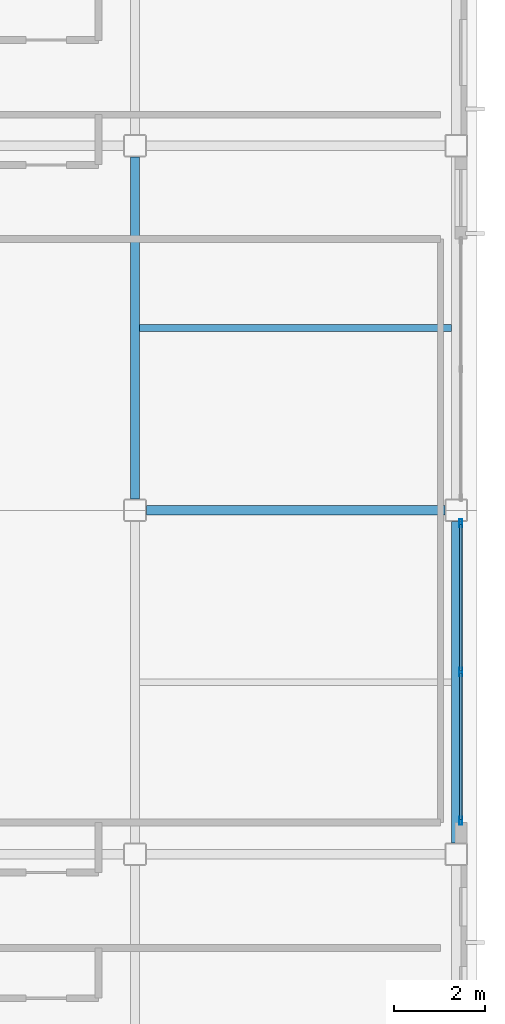
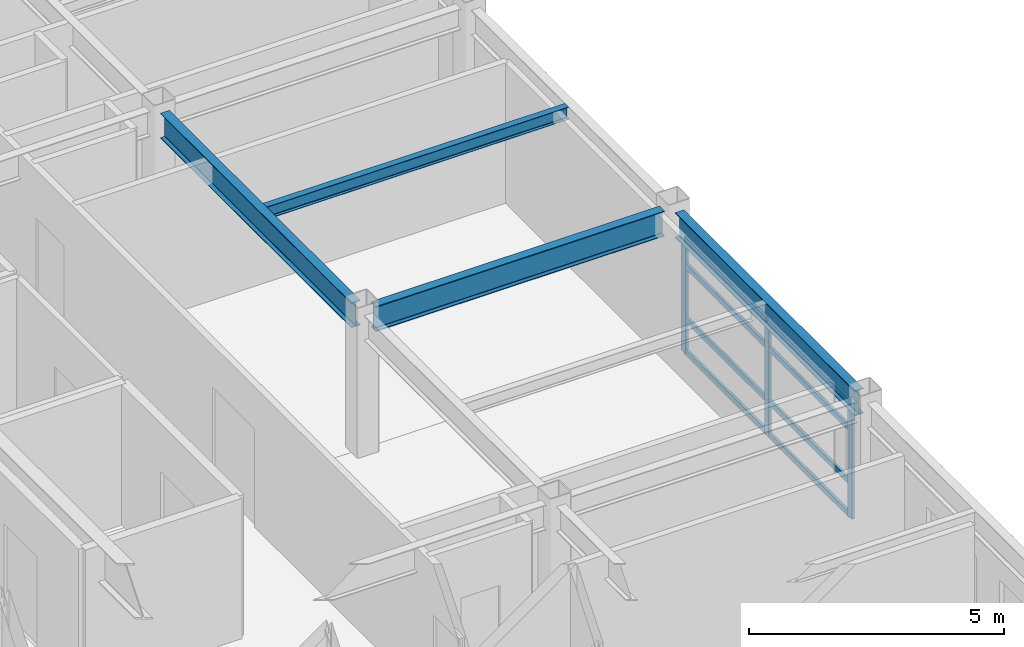
# One storey, part 14 of 35: 11 members, 4 beams, 1 element without a shape of its own.
"""IFC4 building model written with IfcOpenShell, lengths in metres."""

from ifc_helpers import new_model, si_unit, direction, frame, origin, origin_2d, place, context, subcontext, project, spatial, hollow_rectangle, i_section, extrude, material, layer, layer_set, material_profile, profile_set, type_object, element, aggregate, save


model = new_model("IFC4")

# Units and contexts
model_context = context("Model", 3, precision=1e-05, world=origin(), true_north=direction((0.0, 1.0)))
body_context = subcontext(model_context, "Body", "Model", "MODEL_VIEW")
ifc_project = project(units=[si_unit("LENGTHUNIT", "METRE"), si_unit("AREAUNIT", "SQUARE_METRE"), si_unit("VOLUMEUNIT", "CUBIC_METRE"), si_unit("PLANEANGLEUNIT", "RADIAN"), si_unit("MASSUNIT", "GRAM", prefix="KILO")], contexts=[model_context])

# Site, building, storey
site_placement = place(None, origin())
site = spatial("IfcSite", under=ifc_project, at=site_placement, CompositionType="ELEMENT")
building_placement = place(site_placement, origin())
building = spatial("IfcBuilding", under=site, at=building_placement, Name="Kazehara Bluff Congress Hotel", CompositionType="ELEMENT")
storey_placement = place(building_placement, frame((0.0, 0.0, 35.39990234375)))
storey = spatial("IfcBuildingStorey", under=building, at=storey_placement, Name="L08", CompositionType="ELEMENT", Elevation=35.39990234375)

# Curtain wall, members
ifc_material_1 = material(Name="Anodised aluminium", Category="aluminium")
ifc_layer = layer(ifc_material_1, 0.159912109375)
ifc_layer_set = layer_set([ifc_layer], Name="Anodised aluminium")
curtain_wall_type = type_object("IfcCurtainWallType", Name="TP-CW-188", PredefinedType="NOTDEFINED", material=ifc_layer_set)
curtain_wall_placement = place(storey_placement, origin())
curtain_wall = element("IfcCurtainWall", 1, at=curtain_wall_placement, inside=storey, type_object=curtain_wall_type, Name="L08 curtain wall CW-188 CW-ENC-V5-L08-16765-4490", PredefinedType="NOTDEFINED")
ifc_material_2 = material(Name="Anodised aluminium", Category="aluminium")
ifc_material_profile_1 = material_profile(ifc_material_2, hollow_rectangle(XDim=0.06494140625, YDim=0.179931640625, WallThickness=0.00390625, InnerFilletRadius=0.00390625, OuterFilletRadius=0.008056640625, at=origin_2d()))
ifc_profile_set_1 = profile_set([ifc_material_profile_1], Name="Anodised aluminium")
member_type_1 = type_object("IfcMemberType", Name="TP-CWM-02", PredefinedType="MULLION", material=ifc_profile_set_1)
member_1_placement = place(storey_placement, frame((167.64990234375, 48.16748046875, 0.0), z_axis=(0.0, 0.0, 1.0), x_axis=(1.0, 0.0, 0.0)))
member_1 = element("IfcMember", 2, at=member_1_placement, type_object=member_type_1, Name="CW-188 mullion 1", PredefinedType="MULLION", context=body_context, shape_type="SweptSolid", body=[
    extrude(hollow_rectangle(XDim=0.06494140625, YDim=0.179931640625, WallThickness=0.00390625, InnerFilletRadius=0.00390625, OuterFilletRadius=0.008056640625, at=origin_2d()), origin(), (0.0, 0.0, 1.0), 2.755126953125),
])
member_2_placement = place(storey_placement, frame((167.64990234375, 44.89990234375, 0.0), z_axis=(0.0, 0.0, 1.0), x_axis=(1.0, 0.0, 0.0)))
member_2 = element("IfcMember", 3, at=member_2_placement, type_object=member_type_1, Name="CW-188 mullion 2", PredefinedType="MULLION", context=body_context, shape_type="SweptSolid", body=[
    extrude(hollow_rectangle(XDim=0.06494140625, YDim=0.179931640625, WallThickness=0.00390625, InnerFilletRadius=0.00390625, OuterFilletRadius=0.008056640625, at=origin_2d()), origin(), (0.0, 0.0, 1.0), 2.755126953125),
])
member_3_placement = place(storey_placement, frame((167.64990234375, 41.632568359375, 0.0), z_axis=(0.0, 0.0, 1.0), x_axis=(1.0, 0.0, 0.0)))
member_3 = element("IfcMember", 4, at=member_3_placement, type_object=member_type_1, Name="CW-188 mullion 3", PredefinedType="MULLION", context=body_context, shape_type="SweptSolid", body=[
    extrude(hollow_rectangle(XDim=0.06494140625, YDim=0.179931640625, WallThickness=0.00390625, InnerFilletRadius=0.00390625, OuterFilletRadius=0.008056640625, at=origin_2d()), origin(), (0.0, 0.0, 1.0), 2.755126953125),
])
ifc_material_3 = material(Name="Anodised aluminium", Category="aluminium")
ifc_material_profile_2 = material_profile(ifc_material_3, hollow_rectangle(XDim=0.06494140625, YDim=0.139892578125, WallThickness=0.00390625, InnerFilletRadius=0.00390625, OuterFilletRadius=0.008056640625, at=origin_2d()))
ifc_profile_set_2 = profile_set([ifc_material_profile_2], Name="Anodised aluminium")
member_type_2 = type_object("IfcMemberType", Name="TP-CWT-02", PredefinedType="USERDEFINED", material=ifc_profile_set_2)
member_4_placement = place(storey_placement, frame((167.64990234375, 48.135009765625, 0.03271484375), z_axis=(0.0, -1.0, 0.0), x_axis=(1.0, 0.0, 0.0)))
member_4 = element("IfcMember", 5, at=member_4_placement, type_object=member_type_2, Name="CW-188 transom 1.1", ObjectType="TRANSOM", PredefinedType="USERDEFINED", context=body_context, shape_type="SweptSolid", body=[
    extrude(hollow_rectangle(XDim=0.06494140625, YDim=0.139892578125, WallThickness=0.00390625, InnerFilletRadius=0.00390625, OuterFilletRadius=0.008056640625, at=origin_2d()), origin(), (0.0, 0.0, 1.0), 3.202392578125),
])
member_5_placement = place(storey_placement, frame((167.64990234375, 48.135009765625, 0.8251953125), z_axis=(0.0, -1.0, 0.0), x_axis=(1.0, 0.0, 0.0)))
member_5 = element("IfcMember", 6, at=member_5_placement, type_object=member_type_2, Name="CW-188 transom 1.2", ObjectType="TRANSOM", PredefinedType="USERDEFINED", context=body_context, shape_type="SweptSolid", body=[
    extrude(hollow_rectangle(XDim=0.06494140625, YDim=0.139892578125, WallThickness=0.00390625, InnerFilletRadius=0.00390625, OuterFilletRadius=0.008056640625, at=origin_2d()), origin(), (0.0, 0.0, 1.0), 3.202392578125),
])
member_6_placement = place(storey_placement, frame((167.64990234375, 48.135009765625, 2.10498046875), z_axis=(0.0, -1.0, 0.0), x_axis=(1.0, 0.0, 0.0)))
member_6 = element("IfcMember", 7, at=member_6_placement, type_object=member_type_2, Name="CW-188 transom 1.3", ObjectType="TRANSOM", PredefinedType="USERDEFINED", context=body_context, shape_type="SweptSolid", body=[
    extrude(hollow_rectangle(XDim=0.06494140625, YDim=0.139892578125, WallThickness=0.00390625, InnerFilletRadius=0.00390625, OuterFilletRadius=0.008056640625, at=origin_2d()), origin(), (0.0, 0.0, 1.0), 3.202392578125),
])
member_7_placement = place(storey_placement, frame((167.64990234375, 48.135009765625, 2.72265625), z_axis=(0.0, -1.0, 0.0), x_axis=(1.0, 0.0, 0.0)))
member_7 = element("IfcMember", 8, at=member_7_placement, type_object=member_type_2, Name="CW-188 transom 1.4", ObjectType="TRANSOM", PredefinedType="USERDEFINED", context=body_context, shape_type="SweptSolid", body=[
    extrude(hollow_rectangle(XDim=0.06494140625, YDim=0.139892578125, WallThickness=0.00390625, InnerFilletRadius=0.00390625, OuterFilletRadius=0.008056640625, at=origin_2d()), origin(), (0.0, 0.0, 1.0), 3.202392578125),
])
member_8_placement = place(storey_placement, frame((167.64990234375, 44.867431640625, 0.03271484375), z_axis=(0.0, -1.0, 0.0), x_axis=(1.0, 0.0, 0.0)))
member_8 = element("IfcMember", 9, at=member_8_placement, type_object=member_type_2, Name="CW-188 transom 2.1", ObjectType="TRANSOM", PredefinedType="USERDEFINED", context=body_context, shape_type="SweptSolid", body=[
    extrude(hollow_rectangle(XDim=0.06494140625, YDim=0.139892578125, WallThickness=0.00390625, InnerFilletRadius=0.00390625, OuterFilletRadius=0.008056640625, at=origin_2d()), origin(), (0.0, 0.0, 1.0), 3.202392578125),
])
member_9_placement = place(storey_placement, frame((167.64990234375, 44.867431640625, 0.8251953125), z_axis=(0.0, -1.0, 0.0), x_axis=(1.0, 0.0, 0.0)))
member_9 = element("IfcMember", 10, at=member_9_placement, type_object=member_type_2, Name="CW-188 transom 2.2", ObjectType="TRANSOM", PredefinedType="USERDEFINED", context=body_context, shape_type="SweptSolid", body=[
    extrude(hollow_rectangle(XDim=0.06494140625, YDim=0.139892578125, WallThickness=0.00390625, InnerFilletRadius=0.00390625, OuterFilletRadius=0.008056640625, at=origin_2d()), origin(), (0.0, 0.0, 1.0), 3.202392578125),
])
member_10_placement = place(storey_placement, frame((167.64990234375, 44.867431640625, 2.10498046875), z_axis=(0.0, -1.0, 0.0), x_axis=(1.0, 0.0, 0.0)))
member_10 = element("IfcMember", 11, at=member_10_placement, type_object=member_type_2, Name="CW-188 transom 2.3", ObjectType="TRANSOM", PredefinedType="USERDEFINED", context=body_context, shape_type="SweptSolid", body=[
    extrude(hollow_rectangle(XDim=0.06494140625, YDim=0.139892578125, WallThickness=0.00390625, InnerFilletRadius=0.00390625, OuterFilletRadius=0.008056640625, at=origin_2d()), origin(), (0.0, 0.0, 1.0), 3.202392578125),
])
member_11_placement = place(storey_placement, frame((167.64990234375, 44.867431640625, 2.72265625), z_axis=(0.0, -1.0, 0.0), x_axis=(1.0, 0.0, 0.0)))
member_11 = element("IfcMember", 12, at=member_11_placement, type_object=member_type_2, Name="CW-188 transom 2.4", ObjectType="TRANSOM", PredefinedType="USERDEFINED", context=body_context, shape_type="SweptSolid", body=[
    extrude(hollow_rectangle(XDim=0.06494140625, YDim=0.139892578125, WallThickness=0.00390625, InnerFilletRadius=0.00390625, OuterFilletRadius=0.008056640625, at=origin_2d()), origin(), (0.0, 0.0, 1.0), 3.202392578125),
])
aggregate(curtain_wall, [member_1, member_2, member_3, member_4, member_5, member_6, member_7, member_8, member_9, member_10, member_11])

# Beams
ifc_material_4 = material(Name="Steel SN490B", Category="steel")
ifc_material_profile_3 = material_profile(ifc_material_4, i_section(OverallWidth=0.199951171875, OverallDepth=0.60009765625, WebThickness=0.010986328125, FlangeThickness=0.01708984375, FilletRadius=0.012939453125, at=origin_2d()))
ifc_profile_set_3 = profile_set([ifc_material_profile_3], Name="Steel SN490B")
beam_type_1 = type_object("IfcBeamType", Name="TP-G-02", PredefinedType="BEAM", material=ifc_profile_set_3)
beam_1_placement = place(storey_placement, frame((160.5, 48.699951171875, 3.080078125), z_axis=(0.0, 1.0, 0.0), x_axis=(-1.0, 0.0, 0.0)))
element("IfcBeam", 13, at=beam_1_placement, inside=storey, type_object=beam_type_1, Name="L08 girder G-02 24", PredefinedType="BEAM", context=body_context, shape_type="SweptSolid", body=[
    extrude(i_section(OverallWidth=0.199951171875, OverallDepth=0.60009765625, WebThickness=0.010986328125, FlangeThickness=0.01708984375, FilletRadius=0.012939453125, at=origin_2d()), origin(), (0.0, 0.0, 1.0), 7.5),
])
beam_2_placement = place(storey_placement, frame((167.550048828125, 41.14990234375, 3.080078125), z_axis=(0.0, 1.0, 0.0), x_axis=(-1.0, 0.0, 0.0)))
element("IfcBeam", 14, at=beam_2_placement, inside=storey, type_object=beam_type_1, Name="L08 girder G-02 31", PredefinedType="BEAM", context=body_context, shape_type="SweptSolid", body=[
    extrude(i_section(OverallWidth=0.199951171875, OverallDepth=0.60009765625, WebThickness=0.010986328125, FlangeThickness=0.01708984375, FilletRadius=0.012939453125, at=origin_2d()), origin(), (0.0, 0.0, 1.0), 7.050048828125),
])
ifc_material_5 = material(Name="Steel SN400B", Category="steel")
ifc_material_profile_4 = material_profile(ifc_material_5, i_section(OverallWidth=0.14990234375, OverallDepth=0.300048828125, WebThickness=0.006591796875, FlangeThickness=0.009033203125, FilletRadius=0.012939453125, at=origin_2d()))
ifc_profile_set_4 = profile_set([ifc_material_profile_4], Name="Steel SN400B")
beam_type_2 = type_object("IfcBeamType", Name="TP-J-01", PredefinedType="JOIST", material=ifc_profile_set_4)
beam_3_placement = place(storey_placement, frame((160.60009765625, 52.449951171875, 3.22998046875), z_axis=(1.0, 0.0, 0.0), x_axis=(0.0, 1.0, 0.0)))
element("IfcBeam", 15, at=beam_3_placement, inside=storey, type_object=beam_type_2, Name="L08 secondary joist J-01 17", PredefinedType="JOIST", context=body_context, shape_type="SweptSolid", body=[
    extrude(i_section(OverallWidth=0.14990234375, OverallDepth=0.300048828125, WebThickness=0.006591796875, FlangeThickness=0.009033203125, FilletRadius=0.012939453125, at=origin_2d()), origin(), (0.0, 0.0, 1.0), 6.849853515625),
])
ifc_material_6 = material(Name="Steel SN490B", Category="steel")
ifc_material_profile_5 = material_profile(ifc_material_6, i_section(OverallWidth=0.199951171875, OverallDepth=0.60009765625, WebThickness=0.010986328125, FlangeThickness=0.01708984375, FilletRadius=0.012939453125, at=origin_2d()))
ifc_profile_set_5 = profile_set([ifc_material_profile_5], Name="Steel SN490B")
beam_type_3 = type_object("IfcBeamType", Name="TP-SP-02", PredefinedType="SPANDREL", material=ifc_profile_set_5)
beam_4_placement = place(storey_placement, frame((160.75, 48.449951171875, 3.080078125), z_axis=(1.0, 0.0, 0.0), x_axis=(0.0, 1.0, 0.0)))
element("IfcBeam", 16, at=beam_4_placement, inside=storey, type_object=beam_type_3, Name="L08 girder SP-02 51", PredefinedType="SPANDREL", context=body_context, shape_type="SweptSolid", body=[
    extrude(i_section(OverallWidth=0.199951171875, OverallDepth=0.60009765625, WebThickness=0.010986328125, FlangeThickness=0.01708984375, FilletRadius=0.012939453125, at=origin_2d()), origin(), (0.0, 0.0, 1.0), 6.550048828125),
])

save(model, "model.ifc")
